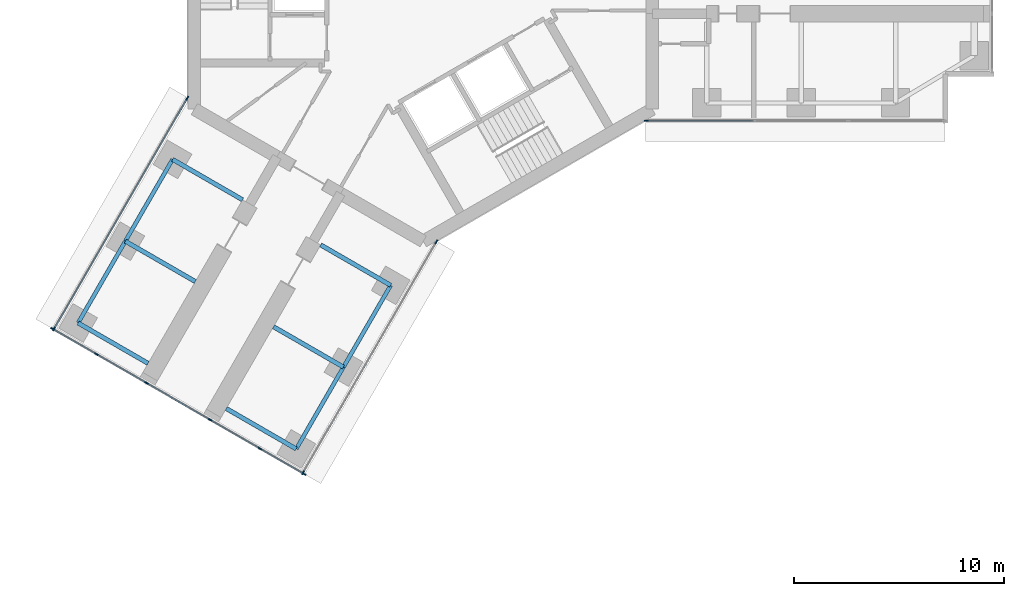
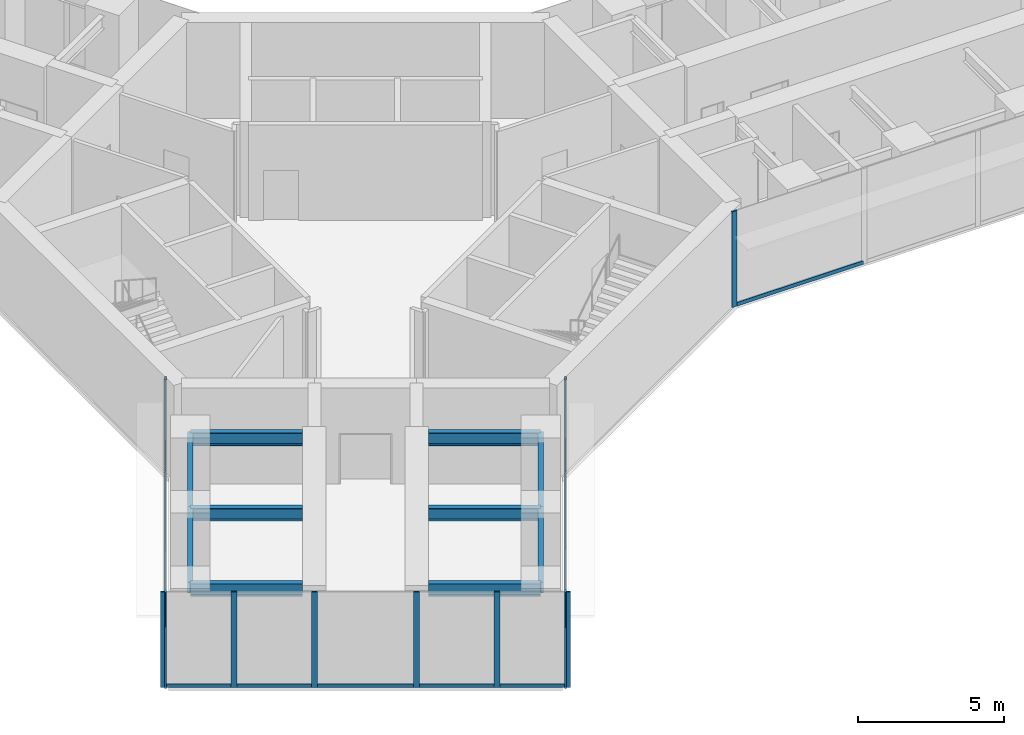
# One storey, part 2 of 21: 19 members, 10 beams, 4 elements without a shape of their own.
"""IFC4 building model written with IfcOpenShell, lengths in metres."""

import ifcopenshell
import ifcopenshell.guid

model = None  # the IFC model being written
_history = None  # IfcOwnerHistory: only IFC2X3 demands one
_inside = {}  # id of a spatial element -> (the spatial element, [elements in it])
_under = {}  # id of a project, library or spatial element -> (it, [spatial elements below it])
_declared = {}  # id of a project -> (the project, [libraries it declares])
_typed = {}  # id of a type object -> (the type object, [elements of that type])
_made_of = {}  # id of a material, layer set ... -> (it, [elements and type objects made of it])


def new_model(schema):
    """Start an empty IFC model of exactly this schema.

    Asked for "IFC4X3", IfcOpenShell would pick the latest addendum, in which some entities
    have other attributes; the version numbers below select the first issue.
    IFC2X3 requires an IfcOwnerHistory on every rooted entity: one is made here for all.
    """
    global model, _history
    if schema == "IFC4X3":
        model = ifcopenshell.file(schema_version=(4, 3, 0, 0))
    else:
        model = ifcopenshell.file(schema=schema)
    _inside.clear()
    _under.clear()
    _declared.clear()
    _typed.clear()
    _made_of.clear()
    _history = None
    if model.schema == "IFC2X3":
        org = make("IfcOrganization", Name="unknown")
        user = make(
            "IfcPersonAndOrganization",
            ThePerson=make("IfcPerson", FamilyName="unknown"),
            TheOrganization=org,
        )
        app = make(
            "IfcApplication",
            ApplicationDeveloper=org,
            Version="unknown",
            ApplicationFullName="unknown",
            ApplicationIdentifier="unknown",
        )
        _history = make(
            "IfcOwnerHistory",
            OwningUser=user,
            OwningApplication=app,
            ChangeAction="ADDED",
            CreationDate=0,
        )
    return model


def make(cls, **values):
    """One entity of the class cls with the attributes given. An attribute that is None is left unset."""
    return model.create_entity(
        cls, **{name: value for name, value in values.items() if value is not None}
    )


def rooted(cls, **values):
    """An entity with a GlobalId (a new one), such as an element, a storey or a relation."""
    return make(cls, GlobalId=ifcopenshell.guid.new(), OwnerHistory=_history, **values)


def si_unit(unit_type, name, prefix=None):
    """IfcSIUnit, for example si_unit("LENGTHUNIT", "METRE", prefix="MILLI")."""
    return make("IfcSIUnit", UnitType=unit_type, Prefix=prefix, Name=name)


def assignment(units):
    """IfcUnitAssignment: the units of a project."""
    return None if units is None else make("IfcUnitAssignment", Units=units)


def point(xyz):
    """IfcCartesianPoint."""
    return None if xyz is None else make("IfcCartesianPoint", Coordinates=xyz)


def direction(xyz):
    """IfcDirection."""
    return None if xyz is None else make("IfcDirection", DirectionRatios=xyz)


def frame(location, z_axis=None, x_axis=None):
    """IfcAxis2Placement3D, a coordinate frame: its origin and axes. An axis left out is left unset."""
    return make(
        "IfcAxis2Placement3D",
        Location=point(location),
        Axis=direction(z_axis),
        RefDirection=direction(x_axis),
    )


def frame_2d(location, x_axis=None):
    """IfcAxis2Placement2D, a coordinate frame in the plane: its origin and x axis."""
    return make(
        "IfcAxis2Placement2D", Location=point(location), RefDirection=direction(x_axis)
    )


def origin():
    """The frame at (0, 0, 0) with its axes left unset."""
    return frame((0.0, 0.0, 0.0))


def origin_2d():
    """The frame at (0, 0) in the plane with its x axis left unset."""
    return frame_2d((0.0, 0.0))


def place(relative_to, where):
    """IfcLocalPlacement: puts the frame where relative to a parent placement (None: the world)."""
    return make(
        "IfcLocalPlacement", PlacementRelTo=relative_to, RelativePlacement=where
    )


def context(
    kind, dimensions, precision=None, world=None, true_north=None, identifier=None
):
    """IfcGeometricRepresentationContext, for example the 3D "Model" context."""
    return make(
        "IfcGeometricRepresentationContext",
        ContextIdentifier=identifier,
        ContextType=kind,
        CoordinateSpaceDimension=dimensions,
        Precision=precision,
        WorldCoordinateSystem=world,
        TrueNorth=true_north,
    )


def subcontext(parent, identifier, kind, view, scale=None):
    """IfcGeometricRepresentationSubContext, for example "Body" below "Model"."""
    return make(
        "IfcGeometricRepresentationSubContext",
        ContextIdentifier=identifier,
        ContextType=kind,
        ParentContext=parent,
        TargetScale=scale,
        TargetView=view,
    )


def project(units=None, contexts=None):
    """IfcProject with its units and contexts."""
    return rooted(
        "IfcProject",
        Name="project",
        RepresentationContexts=contexts,
        UnitsInContext=assignment(units),
    )


def spatial(cls, under=None, at=None, **own):
    """A site, building, storey or space (cls), placed at a placement, below another one or the project."""
    s = rooted(cls, ObjectPlacement=at, **own)
    if under is not None:
        _under.setdefault(under.id(), (under, []))[1].append(s)
    return s


def profile(cls, at=None, kind="AREA", **sizes):
    """A parametric profile (cls). Its sizes go by their IFC names, for example OverallWidth=200.0."""
    return make(cls, ProfileType=kind, Position=at, **sizes)


def rectangle(**sizes):
    """IfcRectangleProfileDef."""
    return profile("IfcRectangleProfileDef", **sizes)


def i_section(**sizes):
    """IfcIShapeProfileDef."""
    return profile("IfcIShapeProfileDef", **sizes)


def extrude(swept, where, along, depth):
    """IfcExtrudedAreaSolid: the profile swept, set in the frame where, extruded along a direction by depth."""
    return make(
        "IfcExtrudedAreaSolid",
        SweptArea=swept,
        Position=where,
        ExtrudedDirection=direction(along),
        Depth=depth,
    )


def shape(context_of_items, identifier, shape_type, items):
    """IfcShapeRepresentation: the items that make up one representation, for example the "Body"."""
    return make(
        "IfcShapeRepresentation",
        ContextOfItems=context_of_items,
        RepresentationIdentifier=identifier,
        RepresentationType=shape_type,
        Items=items,
    )


def material(Name=None, Category=None):
    """IfcMaterial."""
    return make("IfcMaterial", Name=Name, Category=Category)


def material_profile(
    of_material, cross_section, Name=None, Category=None, Priority=None
):
    """IfcMaterialProfile: a cross section and its material."""
    return make(
        "IfcMaterialProfile",
        Name=Name,
        Material=of_material,
        Profile=cross_section,
        Priority=Priority,
        Category=Category,
    )


def profile_set(profiles, Name=None, composite=None):
    """IfcMaterialProfileSet."""
    return make(
        "IfcMaterialProfileSet",
        Name=Name,
        MaterialProfiles=profiles,
        CompositeProfile=composite,
    )


def made_of(thing, what):
    """Note that an element or type object is made of a material, layer set ...; save() writes the relation."""
    if what is not None:
        _made_of.setdefault(what.id(), (what, []))[1].append(thing)
    return thing


def type_object(cls, material=None, **own):
    """A type object (cls), such as IfcWallType, which elements share."""
    return made_of(rooted(cls, **own), material)


def element(
    cls,
    number,
    at=None,
    inside=None,
    cuts=None,
    type_object=None,
    material=None,
    context=None,
    identifier="Body",
    shape_type=None,
    held_by="IfcProductDefinitionShape",
    body=None,
    shapes=None,
    **own,
):
    """One element of the class cls, such as IfcWall. Its Tag is "e" and its number.

    at: its placement. inside: the storey or other place that contains it. cuts: it is an
    opening in that element (IfcRelVoidsElement). A single representation is given by context,
    identifier, shape_type and body (its items); several are given by shapes. held_by: the class
    of the entity that holds the representations. save() writes the other relations.
    """
    e = rooted(cls, Tag="e%d" % number, ObjectPlacement=at, **own)
    if body is not None:
        shapes = [shape(context, identifier, shape_type, body)]
    if shapes is not None:
        e.Representation = make(held_by, Representations=shapes)
    if inside is not None:
        _inside.setdefault(inside.id(), (inside, []))[1].append(e)
    if cuts is not None:
        rooted(
            "IfcRelVoidsElement", RelatingBuildingElement=cuts, RelatedOpeningElement=e
        )
    if type_object is not None:
        _typed.setdefault(type_object.id(), (type_object, []))[1].append(e)
    return made_of(e, material)


def aggregate(whole, parts):
    """IfcRelAggregates: a whole, such as a stair, and the parts it consists of."""
    return rooted("IfcRelAggregates", RelatingObject=whole, RelatedObjects=parts)


def save(model, path):
    """Write the relations noted so far, then the file.

    IfcRelAggregates (storeys below a building ...), IfcRelContainedInSpatialStructure (elements
    in a storey), IfcRelDefinesByType, IfcRelAssociatesMaterial and IfcRelDeclares: one each for
    every whole, place, type object, material and project.
    """
    for whole, parts in _under.values():
        aggregate(whole, parts)
    for where, things in _inside.values():
        rooted(
            "IfcRelContainedInSpatialStructure",
            RelatedElements=things,
            RelatingStructure=where,
        )
    for kind, things in _typed.values():
        rooted("IfcRelDefinesByType", RelatedObjects=things, RelatingType=kind)
    for what, things in _made_of.values():
        rooted("IfcRelAssociatesMaterial", RelatedObjects=things, RelatingMaterial=what)
    for by, libraries in _declared.values():
        rooted("IfcRelDeclares", RelatingContext=by, RelatedDefinitions=libraries)
    model.write(path)


model = new_model("IFC4")

# Units and contexts
model_context = context("Model", 3, precision=1e-05, world=origin(), true_north=direction((0.0, 1.0)))
body_context = subcontext(model_context, "Body", "Model", "MODEL_VIEW")
ifc_project = project(units=[si_unit("LENGTHUNIT", "METRE"), si_unit("AREAUNIT", "SQUARE_METRE"), si_unit("VOLUMEUNIT", "CUBIC_METRE"), si_unit("PLANEANGLEUNIT", "RADIAN"), si_unit("MASSUNIT", "GRAM", prefix="KILO")], contexts=[model_context])

# Site, building, storey
site_placement = place(None, origin())
site = spatial("IfcSite", under=ifc_project, at=site_placement, CompositionType="ELEMENT")
building_placement = place(site_placement, origin())
building = spatial("IfcBuilding", under=site, at=building_placement, Name="Upepo Twin Towers", CompositionType="ELEMENT")
storey_placement = place(building_placement, frame((0.0, 0.0, 105.5)))
storey = spatial("IfcBuildingStorey", under=building, at=storey_placement, Name="L25", CompositionType="ELEMENT", Elevation=105.5)

# Beams
ifc_material_1 = material(Name="Steel S355", Category="steel")
ifc_material_profile_1 = material_profile(ifc_material_1, i_section(OverallWidth=0.1904296875, OverallDepth=0.45703125, WebThickness=0.009033203125, FlangeThickness=0.014404296875, FilletRadius=0.01025390625, at=origin_2d()), Name="UB 457x191x74")
ifc_profile_set_1 = profile_set([ifc_material_profile_1], Name="Steel S355")
beam_type_1 = type_object("IfcBeamType", Name="Beam UB 457x191x74", PredefinedType="BEAM", material=ifc_profile_set_1)
beam_1_placement = place(storey_placement, frame((-1.553955078125, -14.69140625, 3.571533203125), z_axis=(-0.500013631625, -0.866017533419, 0.0), x_axis=(0.866017533419, -0.500013631625, 0.0)))
element("IfcBeam", 1, at=beam_1_placement, inside=storey, type_object=beam_type_1, Name="T1 edge beam CL 13.5-18.0", PredefinedType="BEAM", context=body_context, shape_type="SweptSolid", body=[
    extrude(i_section(OverallWidth=0.1904296875, OverallDepth=0.45703125, WebThickness=0.009033203125, FlangeThickness=0.014404296875, FilletRadius=0.01025390625, at=origin_2d()), origin(), (0.0, 0.0, 1.0), 4.499755859375),
])
beam_2_placement = place(storey_placement, frame((-3.803955078125, -18.58837890625, 3.571533203125), z_axis=(-0.499990139034, -0.866031096941, 0.0), x_axis=(0.866031096941, -0.499990139034, 0.0)))
element("IfcBeam", 2, at=beam_2_placement, inside=storey, type_object=beam_type_1, Name="T1 edge beam CL 18.0-22.5", PredefinedType="BEAM", context=body_context, shape_type="SweptSolid", body=[
    extrude(i_section(OverallWidth=0.1904296875, OverallDepth=0.45703125, WebThickness=0.009033203125, FlangeThickness=0.014404296875, FilletRadius=0.01025390625, at=origin_2d()), origin(), (0.0, 0.0, 1.0), 4.5),
])
beam_3_placement = place(storey_placement, frame((-11.946044921875, -8.69140625, 3.571533203125), z_axis=(-0.500013631625, -0.866017533419, 0.0), x_axis=(0.866017533419, -0.500013631625, 0.0)))
element("IfcBeam", 3, at=beam_3_placement, inside=storey, type_object=beam_type_1, Name="T1 edge beam CR 13.5-18.0", PredefinedType="BEAM", context=body_context, shape_type="SweptSolid", body=[
    extrude(i_section(OverallWidth=0.1904296875, OverallDepth=0.45703125, WebThickness=0.009033203125, FlangeThickness=0.014404296875, FilletRadius=0.01025390625, at=origin_2d()), origin(), (0.0, 0.0, 1.0), 4.499755859375),
])
beam_4_placement = place(storey_placement, frame((-14.196044921875, -12.58837890625, 3.571533203125), z_axis=(-0.499990139034, -0.866031096941, 0.0), x_axis=(0.866031096941, -0.499990139034, 0.0)))
element("IfcBeam", 4, at=beam_4_placement, inside=storey, type_object=beam_type_1, Name="T1 edge beam CR 18.0-22.5", PredefinedType="BEAM", context=body_context, shape_type="SweptSolid", body=[
    extrude(i_section(OverallWidth=0.1904296875, OverallDepth=0.45703125, WebThickness=0.009033203125, FlangeThickness=0.014404296875, FilletRadius=0.01025390625, at=origin_2d()), origin(), (0.0, 0.0, 1.0), 4.5),
])
ifc_material_2 = material(Name="Steel S355", Category="steel")
ifc_material_profile_2 = material_profile(ifc_material_2, i_section(OverallWidth=0.209228515625, OverallDepth=0.533203125, WebThickness=0.010009765625, FlangeThickness=0.015625, FilletRadius=0.0126953125, at=origin_2d()), Name="UB 533x210x92")
ifc_profile_set_2 = profile_set([ifc_material_profile_2], Name="Steel S355")
beam_type_2 = type_object("IfcBeamType", Name="Beam UB 533x210x92", PredefinedType="BEAM", material=ifc_profile_set_2)
beam_5_placement = place(storey_placement, frame((-1.553955078125, -14.69140625, 3.533447265625), z_axis=(-0.866006051527, 0.500033517596, 0.0), x_axis=(-0.500033517596, -0.866006051527, 0.0)))
element("IfcBeam", 5, at=beam_5_placement, inside=storey, type_object=beam_type_2, Name="T1 girder CL at 13.5", PredefinedType="BEAM", context=body_context, shape_type="SweptSolid", body=[
    extrude(i_section(OverallWidth=0.209228515625, OverallDepth=0.533203125, WebThickness=0.010009765625, FlangeThickness=0.015625, FilletRadius=0.0126953125, at=origin_2d()), origin(), (0.0, 0.0, 1.0), 3.849853515625),
])
beam_6_placement = place(storey_placement, frame((-3.803955078125, -18.58837890625, 3.533447265625), z_axis=(-0.866033512162, 0.499985955615, 0.0), x_axis=(-0.499985955615, -0.866033512162, 0.0)))
element("IfcBeam", 6, at=beam_6_placement, inside=storey, type_object=beam_type_2, Name="T1 girder CL at 18.0", PredefinedType="BEAM", context=body_context, shape_type="SweptSolid", body=[
    extrude(i_section(OverallWidth=0.209228515625, OverallDepth=0.533203125, WebThickness=0.010009765625, FlangeThickness=0.015625, FilletRadius=0.0126953125, at=origin_2d()), origin(), (0.0, 0.0, 1.0), 3.849609375),
])
for number, where, z_axis, x_axis, name in (
    (7, (-6.053955078125, -22.485595703125, 3.533447265625), (-0.866006051527, 0.500033517596, 0.0), (-0.500033517596, -0.866006051527, 0.0), "T1 girder CL at 22.5"),
    (8, (-11.946044921875, -8.69140625, 3.533447265625), (0.866006051527, -0.500033517596, 0.0), (0.500033517596, 0.866006051527, 0.0), "T1 girder CR at 13.5"),
    (9, (-14.196044921875, -12.58837890625, 3.533447265625), (0.866006051527, -0.500033517596, 0.0), (0.500033517596, 0.866006051527, 0.0), "T1 girder CR at 18.0"),
    (10, (-16.446044921875, -16.485595703125, 3.533447265625), (0.866006051527, -0.500033517596, 0.0), (0.500033517596, 0.866006051527, 0.0), "T1 girder CR at 22.5"),
):
    element("IfcBeam", number, at=place(storey_placement, frame(where, z_axis=z_axis, x_axis=x_axis)), inside=storey, type_object=beam_type_2, Name=name, PredefinedType="BEAM", context=body_context, shape_type="SweptSolid", body=[
        extrude(i_section(OverallWidth=0.209228515625, OverallDepth=0.533203125, WebThickness=0.010009765625, FlangeThickness=0.015625, FilletRadius=0.0126953125, at=origin_2d()), origin(), (0.0, 0.0, 1.0), 3.849853515625),
    ])

# Curtain wall, member
ifc_material_3 = material(Name="Aluminium and fritted glass", Category="aluminium")
curtain_wall_type = type_object("IfcCurtainWallType", Name="Tower curtain wall TW2, fritted glass", PredefinedType="NOTDEFINED", material=ifc_material_3)
curtain_wall_1_placement = place(storey_placement, origin())
curtain_wall_1 = element("IfcCurtainWall", 11, at=curtain_wall_1_placement, inside=storey, type_object=curtain_wall_type, Name="T1 L25 wing A flank R curtain wall", PredefinedType="NOTDEFINED")
ifc_material_4 = material(Name="Aluminium mullion", Category="aluminium")
ifc_material_profile_3 = material_profile(ifc_material_4, rectangle(XDim=0.06494140625, YDim=0.199951171875, at=origin_2d()), Name="MULLION 65x200")
ifc_profile_set_3 = profile_set([ifc_material_profile_3], Name="Aluminium mullion")
member_type_1 = type_object("IfcMemberType", Name="Mullion 65x200 TW2", PredefinedType="MULLION", material=ifc_profile_set_3)
member_1_placement = place(storey_placement, frame((10.61962890625, -6.85009765625, 0.0), z_axis=(0.0, 0.0, 1.0), x_axis=(0.0, -1.0, 0.0)))
member_1 = element("IfcMember", 12, at=member_1_placement, type_object=member_type_1, Name="T1 L25 wing A flank R curtain wall mullion 4", PredefinedType="MULLION", context=body_context, shape_type="SweptSolid", body=[
    extrude(rectangle(XDim=0.06494140625, YDim=0.199951171875, at=origin_2d()), origin(), (0.0, 0.0, 1.0), 4.0),
])

# Curtain wall, members
curtain_wall_2_placement = place(storey_placement, origin())
curtain_wall_2 = element("IfcCurtainWall", 13, at=curtain_wall_2_placement, inside=storey, type_object=curtain_wall_type, Name="T1 L25 wing C flank L curtain wall", PredefinedType="NOTDEFINED")
member_2_placement = place(storey_placement, frame((0.62255859375, -12.621826171875, 0.0), z_axis=(0.0, 0.0, 1.0), x_axis=(0.866025399212, -0.50000000792, 0.0)))
member_2 = element("IfcMember", 14, at=member_2_placement, type_object=member_type_1, Name="T1 L25 wing C flank L curtain wall mullion 1", PredefinedType="MULLION", context=body_context, shape_type="SweptSolid", body=[
    extrude(rectangle(XDim=0.06494140625, YDim=0.199951171875, at=origin_2d()), origin(), (0.0, 0.0, 1.0), 4.0),
])
member_3_placement = place(storey_placement, frame((-5.7265625, -23.61865234375, 0.0), z_axis=(0.0, 0.0, 1.0), x_axis=(0.866025399212, -0.50000000792, 0.0)))
member_3 = element("IfcMember", 15, at=member_3_placement, type_object=member_type_1, Name="T1 L25 wing C flank L curtain wall mullion 2", PredefinedType="MULLION", context=body_context, shape_type="SweptSolid", body=[
    extrude(rectangle(XDim=0.06494140625, YDim=0.199951171875, at=origin_2d()), origin(), (0.0, 0.0, 1.0), 4.0),
])

curtain_wall_3_placement = place(storey_placement, origin())
curtain_wall_3 = element("IfcCurtainWall", 16, at=curtain_wall_3_placement, inside=storey, type_object=curtain_wall_type, Name="T1 L25 wing C flank R curtain wall", PredefinedType="NOTDEFINED")
member_4_placement = place(storey_placement, frame((-17.591064453125, -16.7685546875, 0.0), z_axis=(0.0, 0.0, 1.0), x_axis=(-0.866025399212, 0.50000000792, 0.0)))
member_4 = element("IfcMember", 17, at=member_4_placement, type_object=member_type_1, Name="T1 L25 wing C flank R curtain wall mullion 1", PredefinedType="MULLION", context=body_context, shape_type="SweptSolid", body=[
    extrude(rectangle(XDim=0.06494140625, YDim=0.199951171875, at=origin_2d()), origin(), (0.0, 0.0, 1.0), 4.0),
])
member_5_placement = place(storey_placement, frame((-11.2421875, -5.77197265625, 0.0), z_axis=(0.0, 0.0, 1.0), x_axis=(-0.866025399212, 0.50000000792, 0.0)))
member_5 = element("IfcMember", 18, at=member_5_placement, type_object=member_type_1, Name="T1 L25 wing C flank R curtain wall mullion 2", PredefinedType="MULLION", context=body_context, shape_type="SweptSolid", body=[
    extrude(rectangle(XDim=0.06494140625, YDim=0.199951171875, at=origin_2d()), origin(), (0.0, 0.0, 1.0), 4.0),
])

curtain_wall_4_placement = place(storey_placement, origin())
curtain_wall_4 = element("IfcCurtainWall", 19, at=curtain_wall_4_placement, inside=storey, type_object=curtain_wall_type, Name="T1 L25 wing C nose curtain wall", PredefinedType="NOTDEFINED")
member_6_placement = place(storey_placement, frame((-17.665771484375, -16.762939453125, 0.0), z_axis=(0.0, 0.0, 1.0), x_axis=(0.499999972355, 0.866025419745, 0.0)))
member_6 = element("IfcMember", 20, at=member_6_placement, type_object=member_type_1, Name="T1 L25 wing C nose curtain wall mullion 1", PredefinedType="MULLION", context=body_context, shape_type="SweptSolid", body=[
    extrude(rectangle(XDim=0.06494140625, YDim=0.199951171875, at=origin_2d()), origin(), (0.0, 0.0, 1.0), 4.0),
])
member_7_placement = place(storey_placement, frame((-15.572021484375, -17.9716796875, 0.0), z_axis=(0.0, 0.0, 1.0), x_axis=(0.499999972355, 0.866025419745, 0.0)))
member_7 = element("IfcMember", 21, at=member_7_placement, type_object=member_type_1, Name="T1 L25 wing C nose curtain wall mullion 2", PredefinedType="MULLION", context=body_context, shape_type="SweptSolid", body=[
    extrude(rectangle(XDim=0.06494140625, YDim=0.199951171875, at=origin_2d()), origin(), (0.0, 0.0, 1.0), 4.0),
])
member_8_placement = place(storey_placement, frame((-13.1904296875, -19.3466796875, 0.0), z_axis=(0.0, 0.0, 1.0), x_axis=(0.499999972355, 0.866025419745, 0.0)))
member_8 = element("IfcMember", 22, at=member_8_placement, type_object=member_type_1, Name="T1 L25 wing C nose curtain wall mullion 3", PredefinedType="MULLION", context=body_context, shape_type="SweptSolid", body=[
    extrude(rectangle(XDim=0.06494140625, YDim=0.199951171875, at=origin_2d()), origin(), (0.0, 0.0, 1.0), 4.0),
])
member_9_placement = place(storey_placement, frame((-10.159423828125, -21.0966796875, 0.0), z_axis=(0.0, 0.0, 1.0), x_axis=(0.499999972355, 0.866025419745, 0.0)))
member_9 = element("IfcMember", 23, at=member_9_placement, type_object=member_type_1, Name="T1 L25 wing C nose curtain wall mullion 4", PredefinedType="MULLION", context=body_context, shape_type="SweptSolid", body=[
    extrude(rectangle(XDim=0.06494140625, YDim=0.199951171875, at=origin_2d()), origin(), (0.0, 0.0, 1.0), 4.0),
])
member_10_placement = place(storey_placement, frame((-7.77783203125, -22.4716796875, 0.0), z_axis=(0.0, 0.0, 1.0), x_axis=(0.499999972355, 0.866025419745, 0.0)))
member_10 = element("IfcMember", 24, at=member_10_placement, type_object=member_type_1, Name="T1 L25 wing C nose curtain wall mullion 5", PredefinedType="MULLION", context=body_context, shape_type="SweptSolid", body=[
    extrude(rectangle(XDim=0.06494140625, YDim=0.199951171875, at=origin_2d()), origin(), (0.0, 0.0, 1.0), 4.0),
])
member_11_placement = place(storey_placement, frame((-5.684326171875, -23.680419921875, 0.0), z_axis=(0.0, 0.0, 1.0), x_axis=(0.499999972355, 0.866025419745, 0.0)))
member_11 = element("IfcMember", 25, at=member_11_placement, type_object=member_type_1, Name="T1 L25 wing C nose curtain wall mullion 6", PredefinedType="MULLION", context=body_context, shape_type="SweptSolid", body=[
    extrude(rectangle(XDim=0.06494140625, YDim=0.199951171875, at=origin_2d()), origin(), (0.0, 0.0, 1.0), 4.0),
])

# Member
ifc_material_5 = material(Name="Aluminium transom", Category="aluminium")
ifc_material_profile_4 = material_profile(ifc_material_5, rectangle(XDim=0.06494140625, YDim=0.14990234375, at=origin_2d()), Name="TRANSOM 65x150")
ifc_profile_set_4 = profile_set([ifc_material_profile_4], Name="Aluminium transom")
member_type_2 = type_object("IfcMemberType", Name="Transom 65x150 TW2", PredefinedType="USERDEFINED", material=ifc_profile_set_4)
member_12_placement = place(storey_placement, frame((15.717529296875, -6.85009765625, 0.074951171875), z_axis=(-1.0, 0.0, 0.0), x_axis=(0.0, -1.0, 0.0)))
member_12 = element("IfcMember", 26, at=member_12_placement, type_object=member_type_2, Name="T1 L25 wing A flank R curtain wall transom 3", ObjectType="TRANSOM", PredefinedType="USERDEFINED", context=body_context, shape_type="SweptSolid", body=[
    extrude(rectangle(XDim=0.06494140625, YDim=0.14990234375, at=origin_2d()), origin(), (0.0, 0.0, 1.0), 5.0654296875),
])

aggregate(curtain_wall_1, [member_1, member_12])

member_13_placement = place(storey_placement, frame((0.606201171875, -12.64990234375, 0.074951171875), z_axis=(-0.499996807431, -0.866027247007, 0.0), x_axis=(0.866027247007, -0.499996807431, 0.0)))
member_13 = element("IfcMember", 27, at=member_13_placement, type_object=member_type_2, Name="T1 L25 wing C flank L curtain wall transom 1", ObjectType="TRANSOM", PredefinedType="USERDEFINED", context=body_context, shape_type="SweptSolid", body=[
    extrude(rectangle(XDim=0.06494140625, YDim=0.14990234375, at=origin_2d()), origin(), (0.0, 0.0, 1.0), 12.6328125),
])

aggregate(curtain_wall_2, [member_2, member_3, member_13])

member_14_placement = place(storey_placement, frame((-17.57470703125, -16.740478515625, 0.074951171875), z_axis=(0.499996807431, 0.866027247007, 0.0), x_axis=(-0.866027247007, 0.499996807431, 0.0)))
member_14 = element("IfcMember", 28, at=member_14_placement, type_object=member_type_2, Name="T1 L25 wing C flank R curtain wall transom 1", ObjectType="TRANSOM", PredefinedType="USERDEFINED", context=body_context, shape_type="SweptSolid", body=[
    extrude(rectangle(XDim=0.06494140625, YDim=0.14990234375, at=origin_2d()), origin(), (0.0, 0.0, 1.0), 12.6328125),
])

aggregate(curtain_wall_3, [member_4, member_5, member_14])

member_15_placement = place(storey_placement, frame((-17.6376953125, -16.779296875, 0.074951171875), z_axis=(0.866069800327, -0.499923095048, 0.0), x_axis=(0.499923095048, 0.866069800327, 0.0)))
member_15 = element("IfcMember", 29, at=member_15_placement, type_object=member_type_2, Name="T1 L25 wing C nose curtain wall transom 1", ObjectType="TRANSOM", PredefinedType="USERDEFINED", context=body_context, shape_type="SweptSolid", body=[
    extrude(rectangle(XDim=0.06494140625, YDim=0.14990234375, at=origin_2d()), origin(), (0.0, 0.0, 1.0), 2.352294921875),
])

member_16_placement = place(storey_placement, frame((-15.5439453125, -17.988037109375, 0.074951171875), z_axis=(0.8660523339, -0.49995335277, 0.0), x_axis=(0.49995335277, 0.8660523339, 0.0)))
member_16 = element("IfcMember", 30, at=member_16_placement, type_object=member_type_2, Name="T1 L25 wing C nose curtain wall transom 2", ObjectType="TRANSOM", PredefinedType="USERDEFINED", context=body_context, shape_type="SweptSolid", body=[
    extrude(rectangle(XDim=0.06494140625, YDim=0.14990234375, at=origin_2d()), origin(), (0.0, 0.0, 1.0), 2.684814453125),
])

member_17_placement = place(storey_placement, frame((-13.162353515625, -19.363037109375, 0.074951171875), z_axis=(0.866056579774, -0.499945997713, 0.0), x_axis=(0.499945997713, 0.866056579774, 0.0)))
member_17 = element("IfcMember", 31, at=member_17_placement, type_object=member_type_2, Name="T1 L25 wing C nose curtain wall transom 3", ObjectType="TRANSOM", PredefinedType="USERDEFINED", context=body_context, shape_type="SweptSolid", body=[
    extrude(rectangle(XDim=0.06494140625, YDim=0.14990234375, at=origin_2d()), origin(), (0.0, 0.0, 1.0), 3.43505859375),
])

member_18_placement = place(storey_placement, frame((-10.13134765625, -21.113037109375, 0.074951171875), z_axis=(0.8660523339, -0.49995335277, 0.0), x_axis=(0.49995335277, 0.8660523339, 0.0)))
member_18 = element("IfcMember", 32, at=member_18_placement, type_object=member_type_2, Name="T1 L25 wing C nose curtain wall transom 4", ObjectType="TRANSOM", PredefinedType="USERDEFINED", context=body_context, shape_type="SweptSolid", body=[
    extrude(rectangle(XDim=0.06494140625, YDim=0.14990234375, at=origin_2d()), origin(), (0.0, 0.0, 1.0), 2.684814453125),
])

member_19_placement = place(storey_placement, frame((-7.749755859375, -22.488037109375, 0.074951171875), z_axis=(0.866024864377, -0.50000093428, 0.0), x_axis=(0.50000093428, 0.866024864377, 0.0)))
member_19 = element("IfcMember", 33, at=member_19_placement, type_object=member_type_2, Name="T1 L25 wing C nose curtain wall transom 5", ObjectType="TRANSOM", PredefinedType="USERDEFINED", context=body_context, shape_type="SweptSolid", body=[
    extrude(rectangle(XDim=0.06494140625, YDim=0.14990234375, at=origin_2d()), origin(), (0.0, 0.0, 1.0), 2.3525390625),
])

aggregate(curtain_wall_4, [member_6, member_7, member_8, member_9, member_10, member_11, member_15, member_16, member_17, member_18, member_19])

save(model, "model.ifc")
